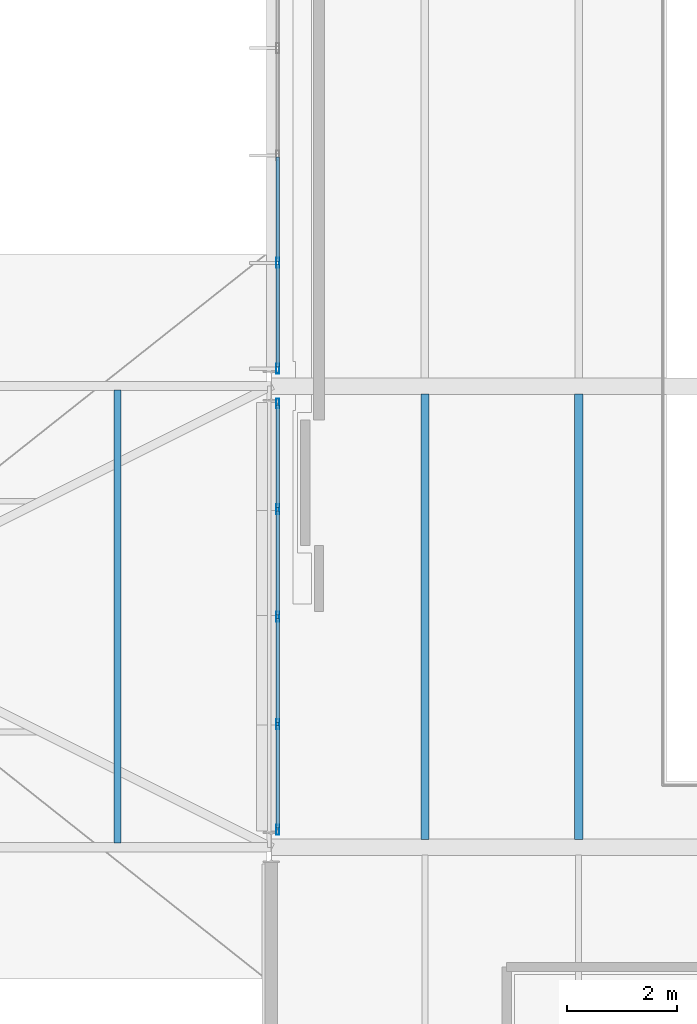
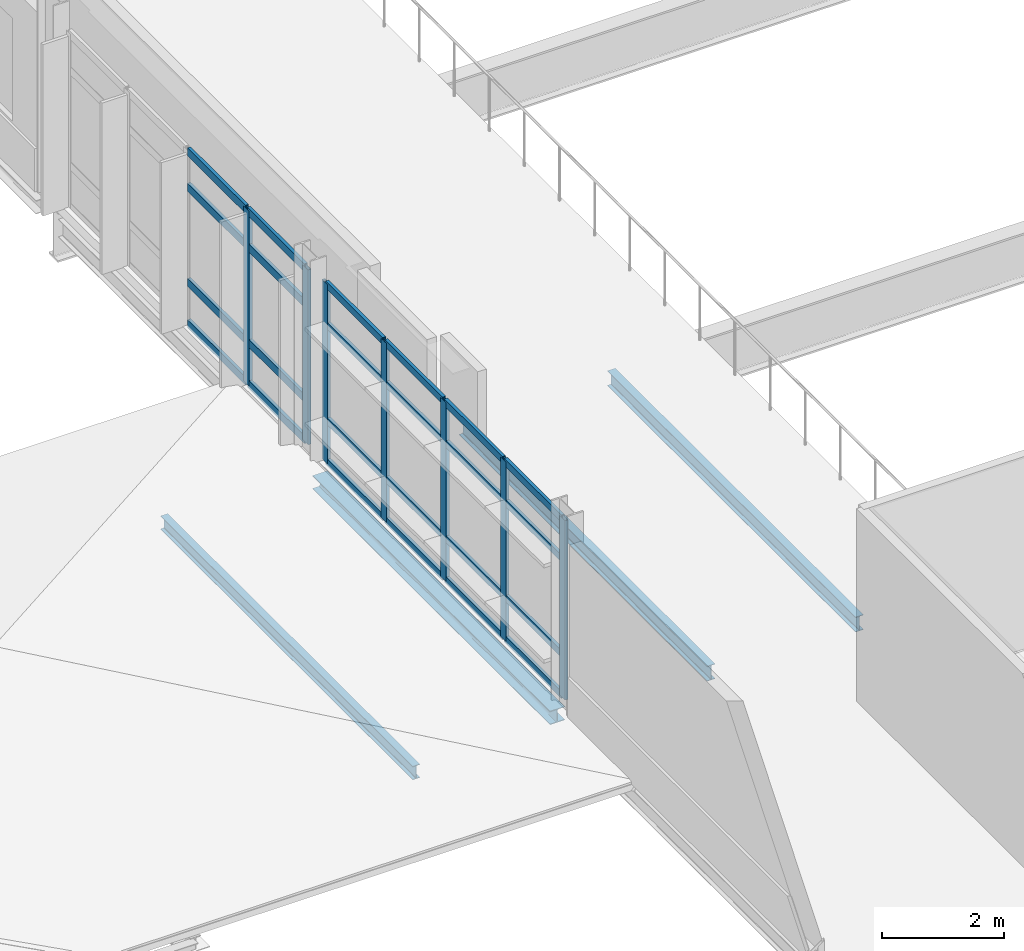
# One storey, part 25 of 151: 31 members, 4 beams, 2 elements without a shape of their own.
"""IFC4 building model written with IfcOpenShell, lengths in metres."""

from ifc_helpers import new_model, si_unit, direction, frame, origin, origin_2d, place, context, subcontext, project, spatial, hollow_rectangle, i_section, extrude, material, material_profile, profile_set, type_object, element, aggregate, save


model = new_model("IFC4")

# Units and contexts
model_context = context("Model", 3, precision=1e-05, world=origin(), true_north=direction((0.0, 1.0)))
body_context = subcontext(model_context, "Body", "Model", "MODEL_VIEW")
ifc_project = project(units=[si_unit("LENGTHUNIT", "METRE"), si_unit("AREAUNIT", "SQUARE_METRE"), si_unit("VOLUMEUNIT", "CUBIC_METRE"), si_unit("PLANEANGLEUNIT", "RADIAN"), si_unit("MASSUNIT", "GRAM", prefix="KILO")], contexts=[model_context])

# Site, building, storey
site_placement = place(None, origin())
site = spatial("IfcSite", under=ifc_project, at=site_placement, CompositionType="ELEMENT")
building_placement = place(site_placement, origin())
building = spatial("IfcBuilding", under=site, at=building_placement, Name="Mersafa Astral City Hall", CompositionType="ELEMENT")
storey_placement = place(building_placement, frame((0.0, 0.0, 9.89990234375)))
storey = spatial("IfcBuildingStorey", under=building, at=storey_placement, Name="L02", CompositionType="ELEMENT", Elevation=9.89990234375)

# Curtain wall, members
ifc_material_1 = material(Name="Anodised bronze aluminium framing", Category="aluminium")
curtain_wall_type_1 = type_object("IfcCurtainWallType", Name="ENV-CW-3", PredefinedType="USERDEFINED", material=ifc_material_1)
curtain_wall_1_placement = place(storey_placement, origin())
curtain_wall_1 = element("IfcCurtainWall", 1, at=curtain_wall_1_placement, inside=storey, type_object=curtain_wall_type_1, Name="L02 Unitised solar curtain wall 146", ObjectType="UNITISED CURTAIN WALL", PredefinedType="USERDEFINED")
ifc_material_profile_1 = material_profile(ifc_material_1, hollow_rectangle(XDim=0.06005859375, YDim=0.179931640625, WallThickness=0.00390625, at=origin_2d()), Name="RHS 60x180x4")
ifc_profile_set_1 = profile_set([ifc_material_profile_1], Name="Anodised bronze aluminium framing")
member_type_1 = type_object("IfcMemberType", Name="ENV-CW-MUL-1", PredefinedType="MULLION", material=ifc_profile_set_1)
member_1_placement = place(storey_placement, frame((92.52001953125, 61.04345703125, -0.001953125), z_axis=(0.0, 0.0, 1.0), x_axis=(1.0, 0.0, 0.0)))
member_1 = element("IfcMember", 2, at=member_1_placement, type_object=member_type_1, Name="CW-3 mullion 4", PredefinedType="MULLION", context=body_context, shape_type="SweptSolid", body=[
    extrude(hollow_rectangle(XDim=0.06005859375, YDim=0.179931640625, WallThickness=0.00390625, at=origin_2d()), origin(), (0.0, 0.0, 1.0), 3.489013671875),
])
member_2_placement = place(storey_placement, frame((92.52001953125, 59.116943359375, -0.001953125), z_axis=(0.0, 0.0, 1.0), x_axis=(1.0, 0.0, 0.0)))
member_2 = element("IfcMember", 3, at=member_2_placement, type_object=member_type_1, Name="CW-3 mullion 5", PredefinedType="MULLION", context=body_context, shape_type="SweptSolid", body=[
    extrude(hollow_rectangle(XDim=0.06005859375, YDim=0.179931640625, WallThickness=0.00390625, at=origin_2d()), origin(), (0.0, 0.0, 1.0), 3.489013671875),
])

curtain_wall_type_2 = type_object("IfcCurtainWallType", Name="ENV-CW-4", PredefinedType="USERDEFINED", material=ifc_material_1)
curtain_wall_2_placement = place(storey_placement, origin())
curtain_wall_2 = element("IfcCurtainWall", 4, at=curtain_wall_2_placement, inside=storey, type_object=curtain_wall_type_2, Name="L02 Unitised solar curtain wall 147", ObjectType="UNITISED CURTAIN WALL", PredefinedType="USERDEFINED")
member_3_placement = place(storey_placement, frame((92.52001953125, 58.48291015625, -0.001953125), z_axis=(0.0, 0.0, 1.0), x_axis=(1.0, 0.0, 0.0)))
member_3 = element("IfcMember", 5, at=member_3_placement, type_object=member_type_1, Name="CW-4 mullion 1", PredefinedType="MULLION", context=body_context, shape_type="SweptSolid", body=[
    extrude(hollow_rectangle(XDim=0.06005859375, YDim=0.179931640625, WallThickness=0.00390625, at=origin_2d()), origin(), (0.0, 0.0, 1.0), 3.5791015625),
])
member_4_placement = place(storey_placement, frame((92.52001953125, 56.556396484375, -0.001953125), z_axis=(0.0, 0.0, 1.0), x_axis=(1.0, 0.0, 0.0)))
member_4 = element("IfcMember", 6, at=member_4_placement, type_object=member_type_1, Name="CW-4 mullion 2", PredefinedType="MULLION", context=body_context, shape_type="SweptSolid", body=[
    extrude(hollow_rectangle(XDim=0.06005859375, YDim=0.179931640625, WallThickness=0.00390625, at=origin_2d()), origin(), (0.0, 0.0, 1.0), 3.5791015625),
])
member_5_placement = place(storey_placement, frame((92.52001953125, 54.60009765625, -0.001953125), z_axis=(0.0, 0.0, 1.0), x_axis=(1.0, 0.0, 0.0)))
member_5 = element("IfcMember", 7, at=member_5_placement, type_object=member_type_1, Name="CW-4 mullion 3", PredefinedType="MULLION", context=body_context, shape_type="SweptSolid", body=[
    extrude(hollow_rectangle(XDim=0.06005859375, YDim=0.179931640625, WallThickness=0.00390625, at=origin_2d()), origin(), (0.0, 0.0, 1.0), 3.5791015625),
])
member_6_placement = place(storey_placement, frame((92.52001953125, 52.6435546875, -0.001953125), z_axis=(0.0, 0.0, 1.0), x_axis=(1.0, 0.0, 0.0)))
member_6 = element("IfcMember", 8, at=member_6_placement, type_object=member_type_1, Name="CW-4 mullion 4", PredefinedType="MULLION", context=body_context, shape_type="SweptSolid", body=[
    extrude(hollow_rectangle(XDim=0.06005859375, YDim=0.179931640625, WallThickness=0.00390625, at=origin_2d()), origin(), (0.0, 0.0, 1.0), 3.5791015625),
])
member_7_placement = place(storey_placement, frame((92.52001953125, 50.717041015625, -0.001953125), z_axis=(0.0, 0.0, 1.0), x_axis=(1.0, 0.0, 0.0)))
member_7 = element("IfcMember", 9, at=member_7_placement, type_object=member_type_1, Name="CW-4 mullion 5", PredefinedType="MULLION", context=body_context, shape_type="SweptSolid", body=[
    extrude(hollow_rectangle(XDim=0.06005859375, YDim=0.179931640625, WallThickness=0.00390625, at=origin_2d()), origin(), (0.0, 0.0, 1.0), 3.5791015625),
])
ifc_material_profile_2 = material_profile(ifc_material_1, hollow_rectangle(XDim=0.06005859375, YDim=0.139892578125, WallThickness=0.00390625, at=origin_2d()), Name="RHS 60x140x4")
ifc_profile_set_2 = profile_set([ifc_material_profile_2], Name="Anodised bronze aluminium framing")
member_type_2 = type_object("IfcMemberType", Name="ENV-CW-TRN-1", PredefinedType="USERDEFINED", material=ifc_profile_set_2)
member_8_placement = place(storey_placement, frame((92.52001953125, 58.452880859375, 0.028076171875), z_axis=(0.0, -1.0, 0.0), x_axis=(1.0, 0.0, 0.0)))
member_8 = element("IfcMember", 10, at=member_8_placement, type_object=member_type_2, Name="CW-4 transom 1.1", ObjectType="TRANSOM", PredefinedType="USERDEFINED", context=body_context, shape_type="SweptSolid", body=[
    extrude(hollow_rectangle(XDim=0.06005859375, YDim=0.139892578125, WallThickness=0.00390625, at=origin_2d()), origin(), (0.0, 0.0, 1.0), 1.866455078125),
])
member_9_placement = place(storey_placement, frame((92.52001953125, 58.452880859375, 0.85009765625), z_axis=(0.0, -1.0, 0.0), x_axis=(1.0, 0.0, 0.0)))
member_9 = element("IfcMember", 11, at=member_9_placement, type_object=member_type_2, Name="CW-4 transom 1.2", ObjectType="TRANSOM", PredefinedType="USERDEFINED", context=body_context, shape_type="SweptSolid", body=[
    extrude(hollow_rectangle(XDim=0.06005859375, YDim=0.139892578125, WallThickness=0.00390625, at=origin_2d()), origin(), (0.0, 0.0, 1.0), 1.866455078125),
])
member_10_placement = place(storey_placement, frame((92.52001953125, 58.452880859375, 2.75), z_axis=(0.0, -1.0, 0.0), x_axis=(1.0, 0.0, 0.0)))
member_10 = element("IfcMember", 12, at=member_10_placement, type_object=member_type_2, Name="CW-4 transom 1.3", ObjectType="TRANSOM", PredefinedType="USERDEFINED", context=body_context, shape_type="SweptSolid", body=[
    extrude(hollow_rectangle(XDim=0.06005859375, YDim=0.139892578125, WallThickness=0.00390625, at=origin_2d()), origin(), (0.0, 0.0, 1.0), 1.866455078125),
])
member_11_placement = place(storey_placement, frame((92.52001953125, 58.452880859375, 3.547119140625), z_axis=(0.0, -1.0, 0.0), x_axis=(1.0, 0.0, 0.0)))
member_11 = element("IfcMember", 13, at=member_11_placement, type_object=member_type_2, Name="CW-4 transom 1.4", ObjectType="TRANSOM", PredefinedType="USERDEFINED", context=body_context, shape_type="SweptSolid", body=[
    extrude(hollow_rectangle(XDim=0.06005859375, YDim=0.139892578125, WallThickness=0.00390625, at=origin_2d()), origin(), (0.0, 0.0, 1.0), 1.866455078125),
])
member_12_placement = place(storey_placement, frame((92.52001953125, 56.526611328125, 0.028076171875), z_axis=(0.0, -1.0, 0.0), x_axis=(1.0, 0.0, 0.0)))
member_12 = element("IfcMember", 14, at=member_12_placement, type_object=member_type_2, Name="CW-4 transom 2.1", ObjectType="TRANSOM", PredefinedType="USERDEFINED", context=body_context, shape_type="SweptSolid", body=[
    extrude(hollow_rectangle(XDim=0.06005859375, YDim=0.139892578125, WallThickness=0.00390625, at=origin_2d()), origin(), (0.0, 0.0, 1.0), 1.896728515625),
])
member_13_placement = place(storey_placement, frame((92.52001953125, 56.526611328125, 0.85009765625), z_axis=(0.0, -1.0, 0.0), x_axis=(1.0, 0.0, 0.0)))
member_13 = element("IfcMember", 15, at=member_13_placement, type_object=member_type_2, Name="CW-4 transom 2.2", ObjectType="TRANSOM", PredefinedType="USERDEFINED", context=body_context, shape_type="SweptSolid", body=[
    extrude(hollow_rectangle(XDim=0.06005859375, YDim=0.139892578125, WallThickness=0.00390625, at=origin_2d()), origin(), (0.0, 0.0, 1.0), 1.896728515625),
])
member_14_placement = place(storey_placement, frame((92.52001953125, 56.526611328125, 2.75), z_axis=(0.0, -1.0, 0.0), x_axis=(1.0, 0.0, 0.0)))
member_14 = element("IfcMember", 16, at=member_14_placement, type_object=member_type_2, Name="CW-4 transom 2.3", ObjectType="TRANSOM", PredefinedType="USERDEFINED", context=body_context, shape_type="SweptSolid", body=[
    extrude(hollow_rectangle(XDim=0.06005859375, YDim=0.139892578125, WallThickness=0.00390625, at=origin_2d()), origin(), (0.0, 0.0, 1.0), 1.896728515625),
])
member_15_placement = place(storey_placement, frame((92.52001953125, 56.526611328125, 3.547119140625), z_axis=(0.0, -1.0, 0.0), x_axis=(1.0, 0.0, 0.0)))
member_15 = element("IfcMember", 17, at=member_15_placement, type_object=member_type_2, Name="CW-4 transom 2.4", ObjectType="TRANSOM", PredefinedType="USERDEFINED", context=body_context, shape_type="SweptSolid", body=[
    extrude(hollow_rectangle(XDim=0.06005859375, YDim=0.139892578125, WallThickness=0.00390625, at=origin_2d()), origin(), (0.0, 0.0, 1.0), 1.896728515625),
])
member_16_placement = place(storey_placement, frame((92.52001953125, 54.570068359375, 0.028076171875), z_axis=(0.0, -1.0, 0.0), x_axis=(1.0, 0.0, 0.0)))
member_16 = element("IfcMember", 18, at=member_16_placement, type_object=member_type_2, Name="CW-4 transom 3.1", ObjectType="TRANSOM", PredefinedType="USERDEFINED", context=body_context, shape_type="SweptSolid", body=[
    extrude(hollow_rectangle(XDim=0.06005859375, YDim=0.139892578125, WallThickness=0.00390625, at=origin_2d()), origin(), (0.0, 0.0, 1.0), 1.896484375),
])
member_17_placement = place(storey_placement, frame((92.52001953125, 54.570068359375, 0.85009765625), z_axis=(0.0, -1.0, 0.0), x_axis=(1.0, 0.0, 0.0)))
member_17 = element("IfcMember", 19, at=member_17_placement, type_object=member_type_2, Name="CW-4 transom 3.2", ObjectType="TRANSOM", PredefinedType="USERDEFINED", context=body_context, shape_type="SweptSolid", body=[
    extrude(hollow_rectangle(XDim=0.06005859375, YDim=0.139892578125, WallThickness=0.00390625, at=origin_2d()), origin(), (0.0, 0.0, 1.0), 1.896484375),
])
member_18_placement = place(storey_placement, frame((92.52001953125, 54.570068359375, 2.75), z_axis=(0.0, -1.0, 0.0), x_axis=(1.0, 0.0, 0.0)))
member_18 = element("IfcMember", 20, at=member_18_placement, type_object=member_type_2, Name="CW-4 transom 3.3", ObjectType="TRANSOM", PredefinedType="USERDEFINED", context=body_context, shape_type="SweptSolid", body=[
    extrude(hollow_rectangle(XDim=0.06005859375, YDim=0.139892578125, WallThickness=0.00390625, at=origin_2d()), origin(), (0.0, 0.0, 1.0), 1.896484375),
])
member_19_placement = place(storey_placement, frame((92.52001953125, 54.570068359375, 3.547119140625), z_axis=(0.0, -1.0, 0.0), x_axis=(1.0, 0.0, 0.0)))
member_19 = element("IfcMember", 21, at=member_19_placement, type_object=member_type_2, Name="CW-4 transom 3.4", ObjectType="TRANSOM", PredefinedType="USERDEFINED", context=body_context, shape_type="SweptSolid", body=[
    extrude(hollow_rectangle(XDim=0.06005859375, YDim=0.139892578125, WallThickness=0.00390625, at=origin_2d()), origin(), (0.0, 0.0, 1.0), 1.896484375),
])
member_20_placement = place(storey_placement, frame((92.52001953125, 52.613525390625, 0.028076171875), z_axis=(0.0, -1.0, 0.0), x_axis=(1.0, 0.0, 0.0)))
member_20 = element("IfcMember", 22, at=member_20_placement, type_object=member_type_2, Name="CW-4 transom 4.1", ObjectType="TRANSOM", PredefinedType="USERDEFINED", context=body_context, shape_type="SweptSolid", body=[
    extrude(hollow_rectangle(XDim=0.06005859375, YDim=0.139892578125, WallThickness=0.00390625, at=origin_2d()), origin(), (0.0, 0.0, 1.0), 1.866455078125),
])
member_21_placement = place(storey_placement, frame((92.52001953125, 52.613525390625, 0.85009765625), z_axis=(0.0, -1.0, 0.0), x_axis=(1.0, 0.0, 0.0)))
member_21 = element("IfcMember", 23, at=member_21_placement, type_object=member_type_2, Name="CW-4 transom 4.2", ObjectType="TRANSOM", PredefinedType="USERDEFINED", context=body_context, shape_type="SweptSolid", body=[
    extrude(hollow_rectangle(XDim=0.06005859375, YDim=0.139892578125, WallThickness=0.00390625, at=origin_2d()), origin(), (0.0, 0.0, 1.0), 1.866455078125),
])
member_22_placement = place(storey_placement, frame((92.52001953125, 52.613525390625, 2.75), z_axis=(0.0, -1.0, 0.0), x_axis=(1.0, 0.0, 0.0)))
member_22 = element("IfcMember", 24, at=member_22_placement, type_object=member_type_2, Name="CW-4 transom 4.3", ObjectType="TRANSOM", PredefinedType="USERDEFINED", context=body_context, shape_type="SweptSolid", body=[
    extrude(hollow_rectangle(XDim=0.06005859375, YDim=0.139892578125, WallThickness=0.00390625, at=origin_2d()), origin(), (0.0, 0.0, 1.0), 1.866455078125),
])
member_23_placement = place(storey_placement, frame((92.52001953125, 52.613525390625, 3.547119140625), z_axis=(0.0, -1.0, 0.0), x_axis=(1.0, 0.0, 0.0)))
member_23 = element("IfcMember", 25, at=member_23_placement, type_object=member_type_2, Name="CW-4 transom 4.4", ObjectType="TRANSOM", PredefinedType="USERDEFINED", context=body_context, shape_type="SweptSolid", body=[
    extrude(hollow_rectangle(XDim=0.06005859375, YDim=0.139892578125, WallThickness=0.00390625, at=origin_2d()), origin(), (0.0, 0.0, 1.0), 1.866455078125),
])
aggregate(curtain_wall_2, [member_3, member_4, member_5, member_6, member_7, member_8, member_9, member_10, member_11, member_12, member_13, member_14, member_15, member_16, member_17, member_18, member_19, member_20, member_21, member_22, member_23])

# Member
ifc_material_profile_3 = material_profile(ifc_material_1, hollow_rectangle(XDim=0.06005859375, YDim=0.159912109375, WallThickness=0.00390625, at=origin_2d()), Name="RHS 60x160x4")
ifc_profile_set_3 = profile_set([ifc_material_profile_3], Name="Anodised bronze aluminium framing")
member_type_3 = type_object("IfcMemberType", Name="ENV-CW-TRN-2", PredefinedType="USERDEFINED", material=ifc_profile_set_3)
member_24_placement = place(storey_placement, frame((92.52001953125, 62.969970703125, 0.028076171875), z_axis=(0.0, -1.0, 0.0), x_axis=(1.0, 0.0, 0.0)))
member_24 = element("IfcMember", 26, at=member_24_placement, type_object=member_type_3, Name="CW-3 transom 3.1", ObjectType="TRANSOM", PredefinedType="USERDEFINED", context=body_context, shape_type="SweptSolid", body=[
    extrude(hollow_rectangle(XDim=0.06005859375, YDim=0.159912109375, WallThickness=0.00390625, at=origin_2d()), origin(), (0.0, 0.0, 1.0), 1.896484375),
])

member_25_placement = place(storey_placement, frame((92.52001953125, 62.969970703125, 0.85009765625), z_axis=(0.0, -1.0, 0.0), x_axis=(1.0, 0.0, 0.0)))
member_25 = element("IfcMember", 27, at=member_25_placement, type_object=member_type_3, Name="CW-3 transom 3.2", ObjectType="TRANSOM", PredefinedType="USERDEFINED", context=body_context, shape_type="SweptSolid", body=[
    extrude(hollow_rectangle(XDim=0.06005859375, YDim=0.159912109375, WallThickness=0.00390625, at=origin_2d()), origin(), (0.0, 0.0, 1.0), 1.896484375),
])

member_26_placement = place(storey_placement, frame((92.52001953125, 62.969970703125, 2.75), z_axis=(0.0, -1.0, 0.0), x_axis=(1.0, 0.0, 0.0)))
member_26 = element("IfcMember", 28, at=member_26_placement, type_object=member_type_3, Name="CW-3 transom 3.3", ObjectType="TRANSOM", PredefinedType="USERDEFINED", context=body_context, shape_type="SweptSolid", body=[
    extrude(hollow_rectangle(XDim=0.06005859375, YDim=0.159912109375, WallThickness=0.00390625, at=origin_2d()), origin(), (0.0, 0.0, 1.0), 1.896484375),
])

member_27_placement = place(storey_placement, frame((92.52001953125, 62.969970703125, 3.45703125), z_axis=(0.0, -1.0, 0.0), x_axis=(1.0, 0.0, 0.0)))
member_27 = element("IfcMember", 29, at=member_27_placement, type_object=member_type_3, Name="CW-3 transom 3.4", ObjectType="TRANSOM", PredefinedType="USERDEFINED", context=body_context, shape_type="SweptSolid", body=[
    extrude(hollow_rectangle(XDim=0.06005859375, YDim=0.159912109375, WallThickness=0.00390625, at=origin_2d()), origin(), (0.0, 0.0, 1.0), 1.896484375),
])

member_28_placement = place(storey_placement, frame((92.52001953125, 61.013427734375, 0.028076171875), z_axis=(0.0, -1.0, 0.0), x_axis=(1.0, 0.0, 0.0)))
member_28 = element("IfcMember", 30, at=member_28_placement, type_object=member_type_3, Name="CW-3 transom 4.1", ObjectType="TRANSOM", PredefinedType="USERDEFINED", context=body_context, shape_type="SweptSolid", body=[
    extrude(hollow_rectangle(XDim=0.06005859375, YDim=0.159912109375, WallThickness=0.00390625, at=origin_2d()), origin(), (0.0, 0.0, 1.0), 1.866455078125),
])

member_29_placement = place(storey_placement, frame((92.52001953125, 61.013427734375, 0.85009765625), z_axis=(0.0, -1.0, 0.0), x_axis=(1.0, 0.0, 0.0)))
member_29 = element("IfcMember", 31, at=member_29_placement, type_object=member_type_3, Name="CW-3 transom 4.2", ObjectType="TRANSOM", PredefinedType="USERDEFINED", context=body_context, shape_type="SweptSolid", body=[
    extrude(hollow_rectangle(XDim=0.06005859375, YDim=0.159912109375, WallThickness=0.00390625, at=origin_2d()), origin(), (0.0, 0.0, 1.0), 1.866455078125),
])

member_30_placement = place(storey_placement, frame((92.52001953125, 61.013427734375, 2.75), z_axis=(0.0, -1.0, 0.0), x_axis=(1.0, 0.0, 0.0)))
member_30 = element("IfcMember", 32, at=member_30_placement, type_object=member_type_3, Name="CW-3 transom 4.3", ObjectType="TRANSOM", PredefinedType="USERDEFINED", context=body_context, shape_type="SweptSolid", body=[
    extrude(hollow_rectangle(XDim=0.06005859375, YDim=0.159912109375, WallThickness=0.00390625, at=origin_2d()), origin(), (0.0, 0.0, 1.0), 1.866455078125),
])

member_31_placement = place(storey_placement, frame((92.52001953125, 61.013427734375, 3.45703125), z_axis=(0.0, -1.0, 0.0), x_axis=(1.0, 0.0, 0.0)))
member_31 = element("IfcMember", 33, at=member_31_placement, type_object=member_type_3, Name="CW-3 transom 4.4", ObjectType="TRANSOM", PredefinedType="USERDEFINED", context=body_context, shape_type="SweptSolid", body=[
    extrude(hollow_rectangle(XDim=0.06005859375, YDim=0.159912109375, WallThickness=0.00390625, at=origin_2d()), origin(), (0.0, 0.0, 1.0), 1.866455078125),
])

aggregate(curtain_wall_1, [member_1, member_2, member_24, member_25, member_26, member_27, member_28, member_29, member_30, member_31])

# Beams
ifc_material_2 = material(Name="Steel S355", Category="steel")
ifc_material_profile_4 = material_profile(ifc_material_2, i_section(OverallWidth=0.135009765625, OverallDepth=0.27001953125, WebThickness=0.006591796875, FlangeThickness=0.01025390625, FilletRadius=0.014892578125, at=origin_2d()), Name="IPE 270")
ifc_profile_set_4 = profile_set([ifc_material_profile_4], Name="Steel S355")
beam_type_1 = type_object("IfcBeamType", Name="STR-BM-JOIST-IPE270", PredefinedType="JOIST", material=ifc_profile_set_4)
beam_1_placement = place(storey_placement, frame((89.60009765625, 50.47998046875, -0.3349609375), z_axis=(0.0, 1.0, 0.0), x_axis=(-1.0, 0.0, 0.0)))
element("IfcBeam", 34, at=beam_1_placement, inside=storey, type_object=beam_type_1, Name="L02 Flat roof secondary joist 6", PredefinedType="JOIST", context=body_context, shape_type="SweptSolid", body=[
    extrude(i_section(OverallWidth=0.135009765625, OverallDepth=0.27001953125, WebThickness=0.006591796875, FlangeThickness=0.01025390625, FilletRadius=0.014892578125, at=origin_2d()), origin(), (0.0, 0.0, 1.0), 8.2451171875),
])
ifc_material_profile_5 = material_profile(ifc_material_2, i_section(OverallWidth=0.14990234375, OverallDepth=0.300048828125, WebThickness=0.007080078125, FlangeThickness=0.0107421875, FilletRadius=0.014892578125, at=origin_2d()), Name="IPE 300")
ifc_profile_set_5 = profile_set([ifc_material_profile_5], Name="Steel S355")
beam_type_2 = type_object("IfcBeamType", Name="STR-BM-JOIST-IPE300", PredefinedType="JOIST", material=ifc_profile_set_5)
for number, where, z_axis, x_axis, name in (
    (35, (95.199951171875, 50.544921875, -0.349853515625), (0.0, 1.0, 0.0), (-1.0, 0.0, 0.0), "L02 Composite secondary floor joist 440"),
    (36, (98.0, 50.544921875, -0.349853515625), (0.0, 1.0, 0.0), (-1.0, 0.0, 0.0), "L02 Composite secondary floor joist 441"),
):
    element("IfcBeam", number, at=place(storey_placement, frame(where, z_axis=z_axis, x_axis=x_axis)), inside=storey, type_object=beam_type_2, Name=name, PredefinedType="JOIST", context=body_context, shape_type="SweptSolid", body=[
        extrude(i_section(OverallWidth=0.14990234375, OverallDepth=0.300048828125, WebThickness=0.007080078125, FlangeThickness=0.0107421875, FilletRadius=0.014892578125, at=origin_2d()), origin(), (0.0, 0.0, 1.0), 8.110107421875),
    ])
ifc_material_profile_6 = material_profile(ifc_material_2, i_section(OverallWidth=0.280029296875, OverallDepth=0.27001953125, WebThickness=0.008056640625, FlangeThickness=0.012939453125, FilletRadius=0.02392578125, at=origin_2d()), Name="HEA 280")
ifc_profile_set_6 = profile_set([ifc_material_profile_6], Name="Steel S355")
beam_type_3 = type_object("IfcBeamType", Name="STR-BM-SPANDREL-HEA280", PredefinedType="SPANDREL", material=ifc_profile_set_6)
beam_2_placement = place(storey_placement, frame((92.39990234375, 50.719970703125, -0.3349609375), z_axis=(0.0, 1.0, 0.0), x_axis=(-1.0, 0.0, 0.0)))
element("IfcBeam", 37, at=beam_2_placement, inside=storey, type_object=beam_type_3, Name="L02 Primary girder Y 11-6", PredefinedType="SPANDREL", context=body_context, shape_type="SweptSolid", body=[
    extrude(i_section(OverallWidth=0.280029296875, OverallDepth=0.27001953125, WebThickness=0.008056640625, FlangeThickness=0.012939453125, FilletRadius=0.02392578125, at=origin_2d()), origin(), (0.0, 0.0, 1.0), 7.760009765625),
])

save(model, "model.ifc")
